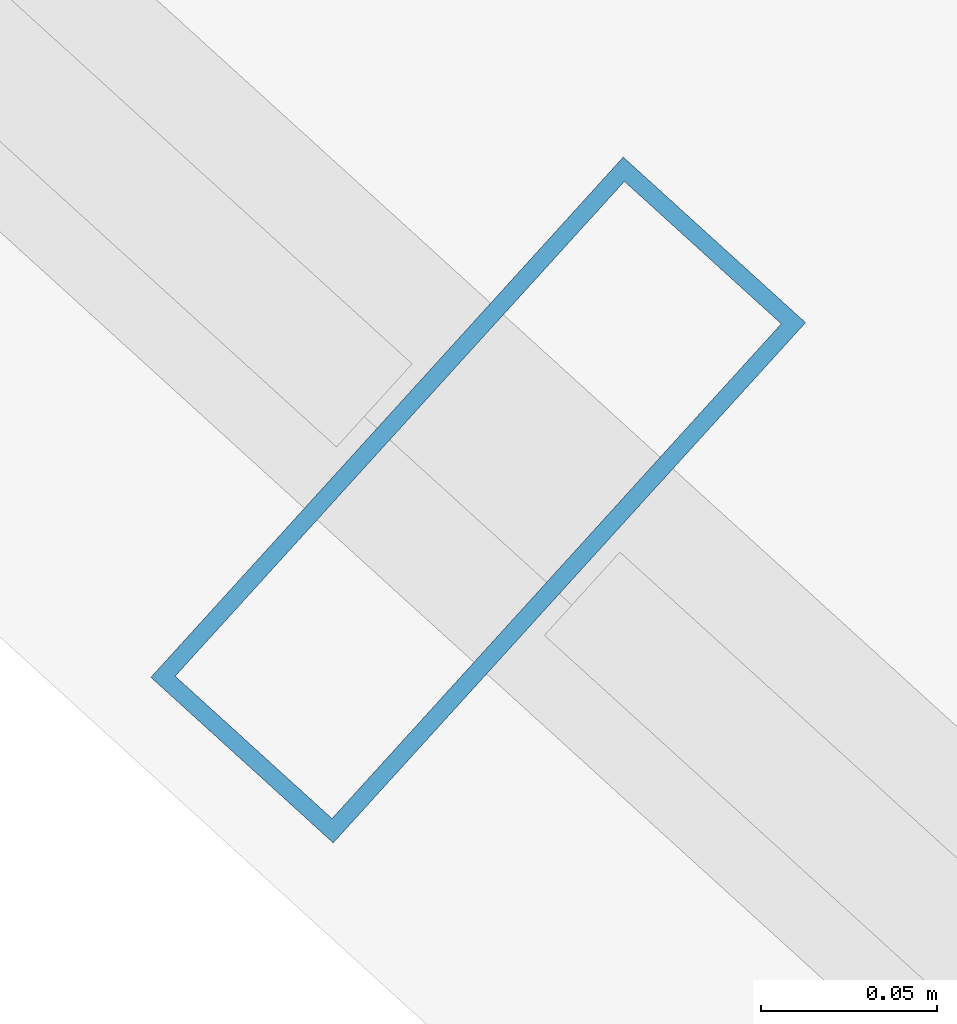
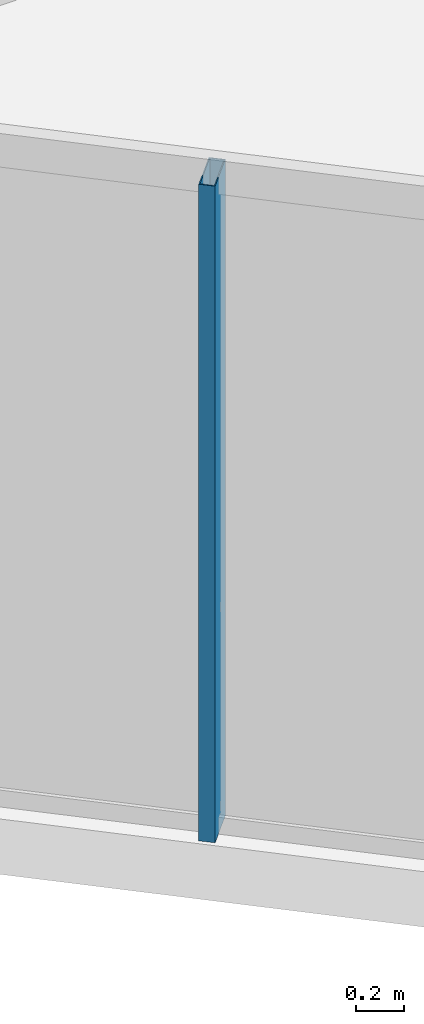
# One storey, part 2 of 21: 1 member, 1 element without a shape of its own.
"""IFC4 building model written with IfcOpenShell, lengths in metres."""

from ifc_helpers import new_model, si_unit, direction, frame, origin, origin_2d, place, context, subcontext, project, spatial, hollow_rectangle, extrude, material, layer, layer_set, material_profile, profile_set, type_object, element, aggregate, save


model = new_model("IFC4")

# Units and contexts
model_context = context("Model", 3, precision=1e-05, world=origin(), true_north=direction((0.0, 1.0)))
body_context = subcontext(model_context, "Body", "Model", "MODEL_VIEW")
ifc_project = project(units=[si_unit("LENGTHUNIT", "METRE"), si_unit("AREAUNIT", "SQUARE_METRE"), si_unit("VOLUMEUNIT", "CUBIC_METRE"), si_unit("PLANEANGLEUNIT", "RADIAN"), si_unit("MASSUNIT", "GRAM", prefix="KILO")], contexts=[model_context])

# Site, building, storey
site_placement = place(None, origin())
site = spatial("IfcSite", under=ifc_project, at=site_placement, CompositionType="ELEMENT")
building_placement = place(site_placement, origin())
building = spatial("IfcBuilding", under=site, at=building_placement, Name="Qarnah Convention Tower", CompositionType="ELEMENT")
storey_placement = place(building_placement, frame((0.0, 0.0, 132.89990234375)))
storey = spatial("IfcBuildingStorey", under=building, at=storey_placement, Name="L35", CompositionType="ELEMENT", Elevation=132.89990234375)

# Curtain wall, member
ifc_material_1 = material(Name="Tempered Low-E dark glass", Category="glass")
ifc_layer = layer(ifc_material_1, 0.172119140625)
ifc_layer_set = layer_set([ifc_layer], Name="Tempered Low-E dark glass")
curtain_wall_type = type_object("IfcCurtainWallType", Name="CWS-03", PredefinedType="NOTDEFINED", material=ifc_layer_set)
curtain_wall_placement = place(storey_placement, origin())
curtain_wall = element("IfcCurtainWall", 1, at=curtain_wall_placement, inside=storey, type_object=curtain_wall_type, Name="L35 unitised curtain wall CW-L35-F1", PredefinedType="NOTDEFINED")
ifc_material_2 = material(Name="Black anodised aluminium", Category="aluminium")
ifc_material_profile = material_profile(ifc_material_2, hollow_rectangle(XDim=0.070068359375, YDim=0.199951171875, WallThickness=0.0048828125, at=origin_2d()), Name="MUL-70X200")
ifc_profile_set = profile_set([ifc_material_profile], Name="Black anodised aluminium")
member_type = type_object("IfcMemberType", Name="MUL-T3", PredefinedType="MULLION", material=ifc_profile_set)
member_placement = place(storey_placement, frame((28.592041015625, 11.29052734375, 0.0), z_axis=(0.0, 0.0, 1.0), x_axis=(-0.740352220508, 0.672219152947, 0.0)))
member = element("IfcMember", 2, at=member_placement, type_object=member_type, Name="CW-L35-F1 mullion 3", PredefinedType="MULLION", context=body_context, shape_type="SweptSolid", body=[
    extrude(hollow_rectangle(XDim=0.070068359375, YDim=0.199951171875, WallThickness=0.0048828125, at=origin_2d()), origin(), (0.0, 0.0, 1.0), 3.320068359375),
])
aggregate(curtain_wall, [member])

save(model, "model.ifc")
